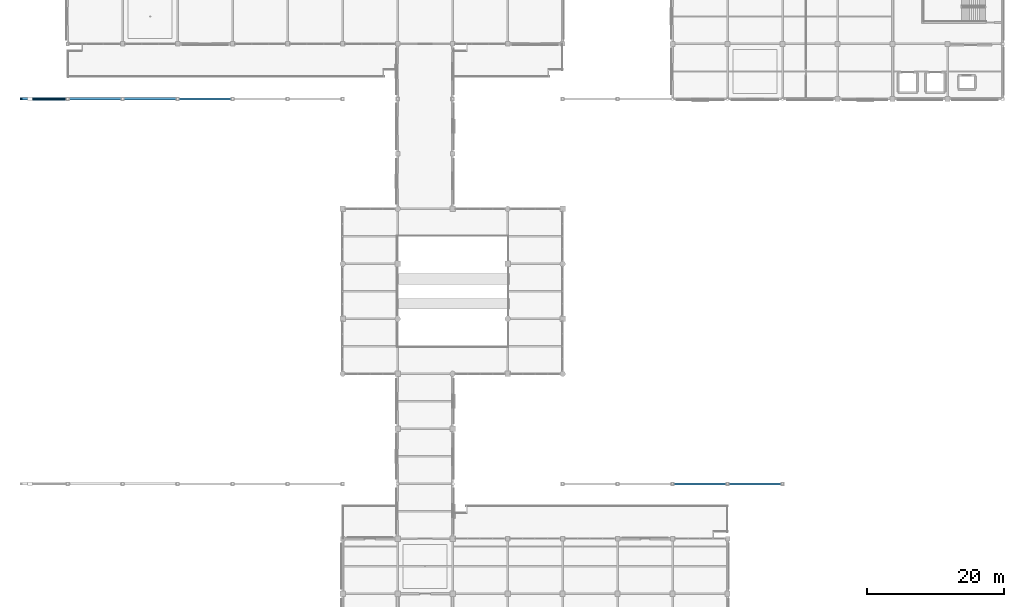
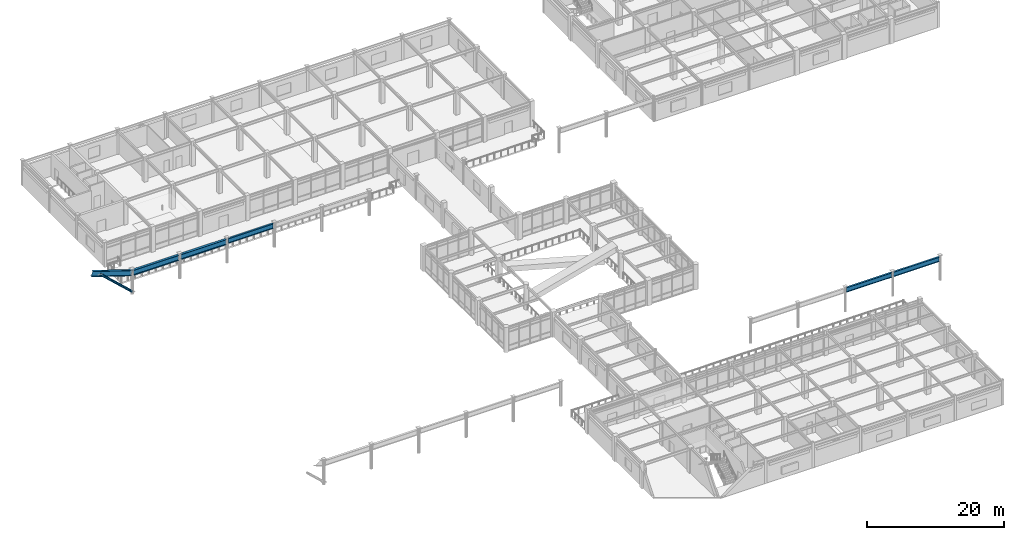
# One storey, part 34 of 78: 6 beams, 1 member.
"""IFC4 building model written with IfcOpenShell, lengths in metres."""

from ifc_helpers import new_model, si_unit, direction, frame, origin, origin_2d, place, context, subcontext, project, spatial, hollow_circle, i_section, extrude, material, material_profile, profile_set, type_object, element, save


model = new_model("IFC4")

# Units and contexts
model_context = context("Model", 3, precision=1e-05, world=origin(), true_north=direction((0.0, 1.0)))
body_context = subcontext(model_context, "Body", "Model", "MODEL_VIEW")
ifc_project = project(units=[si_unit("LENGTHUNIT", "METRE"), si_unit("AREAUNIT", "SQUARE_METRE"), si_unit("VOLUMEUNIT", "CUBIC_METRE"), si_unit("PLANEANGLEUNIT", "RADIAN"), si_unit("MASSUNIT", "GRAM", prefix="KILO")], contexts=[model_context])

# Site, building, storey
site_placement = place(None, origin())
site = spatial("IfcSite", under=ifc_project, at=site_placement, CompositionType="ELEMENT")
building_placement = place(site_placement, origin())
building = spatial("IfcBuilding", under=site, at=building_placement, Name="Solmirada Galleria", CompositionType="ELEMENT")
storey_placement = place(building_placement, frame((0.0, 0.0, 23.89990234375)))
storey = spatial("IfcBuildingStorey", under=building, at=storey_placement, Name="L05", CompositionType="ELEMENT", Elevation=23.89990234375)

# Beams
ifc_material_1 = material(Name="Steel S355 / ASTM A572 Grade 50", Category="steel")
ifc_material_profile_1 = material_profile(ifc_material_1, i_section(OverallWidth=0.3798828125, OverallDepth=0.949951171875, WebThickness=0.02001953125, FlangeThickness=0.035888671875, FilletRadius=0.01611328125, at=origin_2d()), Name="PG950X380")
ifc_profile_set_1 = profile_set([ifc_material_profile_1], Name="Steel S355 / ASTM A572 Grade 50")
beam_type_1 = type_object("IfcBeamType", Name="BM-CAN-SPINE", PredefinedType="BEAM", material=ifc_profile_set_1)
beam_1_placement = place(storey_placement, frame((33.199951171875, 88.0, 5.965087890625), z_axis=(0.951447166757, 0.0, -0.307812099941), x_axis=(0.0, 1.0, 0.0)))
element("IfcBeam", 1, at=beam_1_placement, inside=storey, type_object=beam_type_1, Name="Forecourt canopy cantilevered edge girder N", PredefinedType="BEAM", context=body_context, shape_type="SweptSolid", body=[
    extrude(i_section(OverallWidth=0.3798828125, OverallDepth=0.949951171875, WebThickness=0.02001953125, FlangeThickness=0.035888671875, FilletRadius=0.01611328125, at=origin_2d()), origin(), (0.0, 0.0, 1.0), 7.14697265625),
])
for number, where, z_axis, x_axis, name in (
    (2, (40.21337890625, 88.0, 3.76513671875), (1.0, 0.0, 0.0), (0.0, 1.0, 0.0), "Forecourt canopy back-span girder N X=40..48"),
    (3, (48.21337890625, 88.0, 3.76513671875), (1.0, 0.0, 0.0), (0.0, 1.0, 0.0), "Forecourt canopy back-span girder N X=48..56"),
):
    element("IfcBeam", number, at=place(storey_placement, frame(where, z_axis=z_axis, x_axis=x_axis)), inside=storey, type_object=beam_type_1, Name=name, PredefinedType="BEAM", context=body_context, shape_type="SweptSolid", body=[
        extrude(i_section(OverallWidth=0.3798828125, OverallDepth=0.949951171875, WebThickness=0.02001953125, FlangeThickness=0.035888671875, FilletRadius=0.01611328125, at=origin_2d()), origin(), (0.0, 0.0, 1.0), 7.5732421875),
    ])
ifc_material_2 = material(Name="Steel S355 / ASTM A992 Grade 50", Category="steel")
ifc_material_profile_2 = material_profile(ifc_material_2, i_section(OverallWidth=0.2919921875, OverallDepth=0.85888671875, WebThickness=0.01708984375, FlangeThickness=0.031005859375, FilletRadius=0.02001953125, at=origin_2d()), Name="W33X169")
ifc_profile_set_2 = profile_set([ifc_material_profile_2], Name="Steel S355 / ASTM A992 Grade 50")
beam_type_2 = type_object("IfcBeamType", Name="BM-VAULT-RING2", PredefinedType="BEAM", material=ifc_profile_set_2)
beam_2_placement = place(storey_placement, frame((56.21337890625, 88.0, 3.810546875), z_axis=(1.0, 0.0, 0.0), x_axis=(0.0, 1.0, 0.0)))
element("IfcBeam", 4, at=beam_2_placement, inside=storey, type_object=beam_type_2, Name="Barrel vault springing collector girder N X=56..64", PredefinedType="BEAM", context=body_context, shape_type="SweptSolid", body=[
    extrude(i_section(OverallWidth=0.2919921875, OverallDepth=0.85888671875, WebThickness=0.01708984375, FlangeThickness=0.031005859375, FilletRadius=0.02001953125, at=origin_2d()), origin(), (0.0, 0.0, 1.0), 7.5732421875),
])
ifc_material_profile_3 = material_profile(ifc_material_2, i_section(OverallWidth=0.2919921875, OverallDepth=0.841064453125, WebThickness=0.0146484375, FlangeThickness=0.021728515625, FilletRadius=0.01904296875, at=origin_2d()), Name="W33X130")
ifc_profile_set_3 = profile_set([ifc_material_profile_3], Name="Steel S355 / ASTM A992 Grade 50")
beam_type_3 = type_object("IfcBeamType", Name="BM-VAULT-RING3", PredefinedType="BEAM", material=ifc_profile_set_3)
for number, where, z_axis, x_axis, name in (
    (5, (128.17041015625, 32.0, 3.819580078125), (1.0, 0.0, 0.0), (0.0, 1.0, 0.0), "Barrel vault springing collector girder S X=128..136"),
    (6, (136.17041015625, 32.0, 3.819580078125), (1.0, 0.0, 0.0), (0.0, 1.0, 0.0), "Barrel vault springing collector girder S X=136..144"),
):
    element("IfcBeam", number, at=place(storey_placement, frame(where, z_axis=z_axis, x_axis=x_axis)), inside=storey, type_object=beam_type_3, Name=name, PredefinedType="BEAM", context=body_context, shape_type="SweptSolid", body=[
        extrude(i_section(OverallWidth=0.2919921875, OverallDepth=0.841064453125, WebThickness=0.0146484375, FlangeThickness=0.021728515625, FilletRadius=0.01904296875, at=origin_2d()), origin(), (0.0, 0.0, 1.0), 7.6591796875),
    ])

# Member
ifc_material_3 = material(Name="Steel S355 / ASTM A500 Grade C", Category="steel")
ifc_material_profile_4 = material_profile(ifc_material_3, hollow_circle(Radius=0.202880859375, WallThickness=0.01171875, at=origin_2d()), Name="HSS16.000X0.500")
ifc_profile_set_4 = profile_set([ifc_material_profile_4], Name="Steel S355 / ASTM A500 Grade C")
member_type = type_object("IfcMemberType", Name="MEM-CANOPY-STRUT", PredefinedType="BRACE", material=ifc_profile_set_4)
member_placement = place(storey_placement, frame((40.0, 88.0, 0.400146484375), z_axis=(-0.734528376103, 0.0, 0.678577972454), x_axis=(0.0, -1.0, 0.0)))
element("IfcMember", 7, at=member_placement, inside=storey, type_object=member_type, Name="Forecourt canopy inclined strut N", PredefinedType="BRACE", context=body_context, shape_type="SweptSolid", body=[
    extrude(hollow_circle(Radius=0.202880859375, WallThickness=0.01171875, at=origin_2d()), origin(), (0.0, 0.0, 1.0), 7.48779296875),
])

save(model, "model.ifc")
